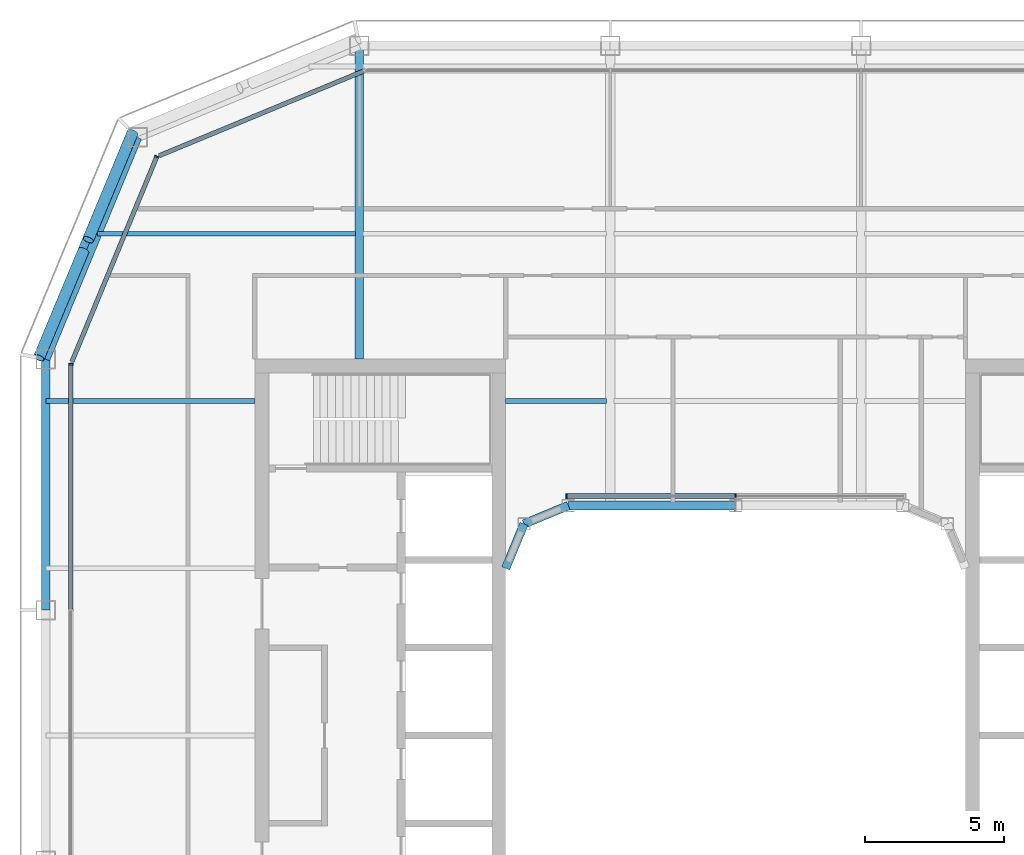
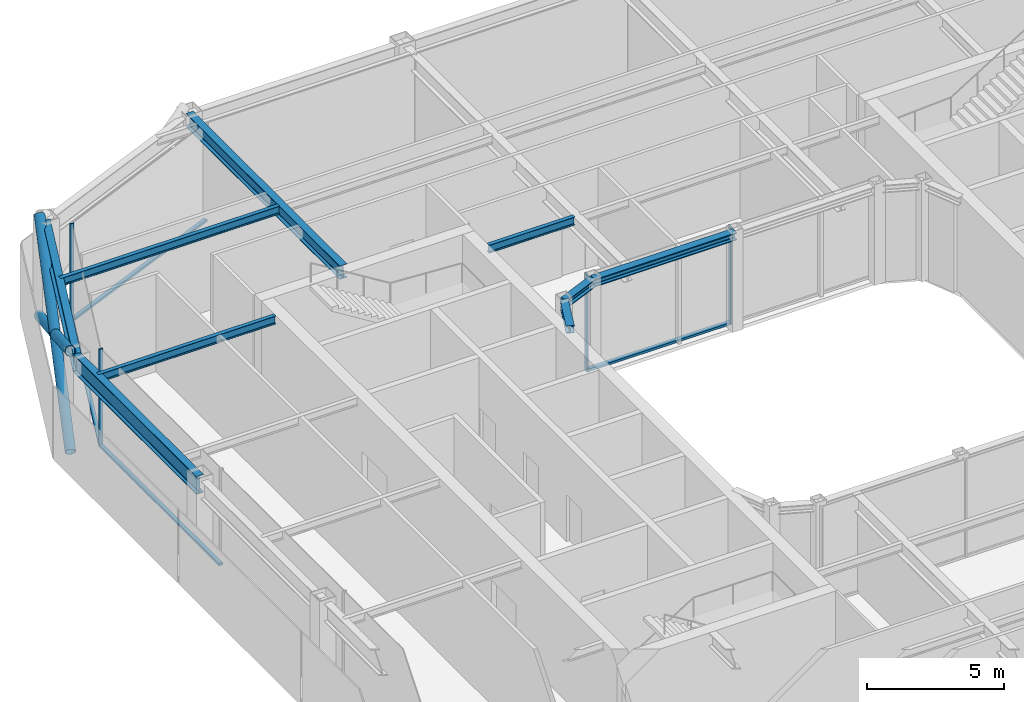
# One storey, part 7 of 18: 11 members, 9 beams, 4 elements without a shape of their own.
"""IFC4 building model written with IfcOpenShell, lengths in metres."""

from ifc_helpers import new_model, si_unit, direction, frame, origin, origin_2d, place, context, subcontext, project, spatial, rectangle, hollow_circle, i_section, extrude, material, layer, layer_set, material_profile, profile_set, type_object, element, aggregate, save


model = new_model("IFC4")

# Units and contexts
model_context = context("Model", 3, precision=1e-05, world=origin(), true_north=direction((0.0, 1.0)))
body_context = subcontext(model_context, "Body", "Model", "MODEL_VIEW")
ifc_project = project(units=[si_unit("LENGTHUNIT", "METRE"), si_unit("AREAUNIT", "SQUARE_METRE"), si_unit("VOLUMEUNIT", "CUBIC_METRE"), si_unit("PLANEANGLEUNIT", "RADIAN"), si_unit("MASSUNIT", "GRAM", prefix="KILO")], contexts=[model_context])

# Site, building, storey
site_placement = place(None, origin())
site = spatial("IfcSite", under=ifc_project, at=site_placement, CompositionType="ELEMENT")
building_placement = place(site_placement, origin())
building = spatial("IfcBuilding", under=site, at=building_placement, Name="Siwar Civic Tower", CompositionType="ELEMENT")
storey_placement = place(building_placement, frame((0.0, 0.0, 321.199951171875)))
storey = spatial("IfcBuildingStorey", under=building, at=storey_placement, Name="L69", CompositionType="ELEMENT", Elevation=321.199951171875)

# Curtain wall, member
ifc_material_1 = material(Name="Aluminium clad insulated panel", Category="aluminium")
ifc_layer_1 = layer(ifc_material_1, 0.159912109375)
ifc_layer_set_1 = layer_set([ifc_layer_1], Name="Aluminium clad insulated panel")
curtain_wall_type_1 = type_object("IfcCurtainWallType", Name="ENV-CW-DX", PredefinedType="NOTDEFINED", material=ifc_layer_set_1)
curtain_wall_1_placement = place(storey_placement, origin())
curtain_wall_1 = element("IfcCurtainWall", 1, at=curtain_wall_1_placement, inside=storey, type_object=curtain_wall_type_1, Name="Curtain wall D NW2", PredefinedType="NOTDEFINED")
ifc_material_2 = material(Name="Aluminium 6063-T6", Category="aluminium")
ifc_material_profile_1 = material_profile(ifc_material_2, rectangle(XDim=0.159912109375, YDim=0.06005859375, at=origin_2d()), Name="AL 160x60")
ifc_profile_set_1 = profile_set([ifc_material_profile_1], Name="Aluminium 6063-T6")
member_type_1 = type_object("IfcMemberType", Name="ENV-MULLION-D", PredefinedType="MULLION", material=ifc_profile_set_1)
member_1_placement = place(storey_placement, frame((-20.76611328125, 20.76611328125, 0.0), z_axis=(0.0, 0.0, 1.0), x_axis=(0.923879532511, -0.382683432365, 0.0)))
member_1 = element("IfcMember", 2, at=member_1_placement, type_object=member_type_1, Name="Mullion D NW2 1", PredefinedType="MULLION", context=body_context, shape_type="SweptSolid", body=[
    extrude(rectangle(XDim=0.159912109375, YDim=0.06005859375, at=origin_2d()), origin(), (0.0, 0.0, 1.0), 4.35009765625),
])

ifc_material_3 = material(Name="Aluminium and glass", Category="aluminium")
ifc_layer_2 = layer(ifc_material_3, 0.159912109375)
ifc_layer_set_2 = layer_set([ifc_layer_2], Name="Aluminium and glass")
curtain_wall_type_2 = type_object("IfcCurtainWallType", Name="ENV-CW-D", PredefinedType="NOTDEFINED", material=ifc_layer_set_2)
curtain_wall_2_placement = place(storey_placement, origin())
curtain_wall_2 = element("IfcCurtainWall", 3, at=curtain_wall_2_placement, inside=storey, type_object=curtain_wall_type_2, Name="Curtain wall D W", PredefinedType="NOTDEFINED")
member_2_placement = place(storey_placement, frame((-23.85009765625, 13.321044921875, 0.0), z_axis=(0.0, 0.0, 1.0), x_axis=(1.0, 0.0, 0.0)))
member_2 = element("IfcMember", 4, at=member_2_placement, type_object=member_type_1, Name="Mullion D W 1", PredefinedType="MULLION", context=body_context, shape_type="SweptSolid", body=[
    extrude(rectangle(XDim=0.159912109375, YDim=0.06005859375, at=origin_2d()), origin(), (0.0, 0.0, 1.0), 4.35009765625),
])

# Curtain wall, members
ifc_material_4 = material(Name="Aluminium and glass", Category="aluminium")
ifc_layer_3 = layer(ifc_material_4, 0.179931640625)
ifc_layer_set_3 = layer_set([ifc_layer_3], Name="Aluminium and glass")
curtain_wall_type_3 = type_object("IfcCurtainWallType", Name="ENV-CW-W", PredefinedType="NOTDEFINED", material=ifc_layer_set_3)
curtain_wall_3_placement = place(storey_placement, origin())
curtain_wall_3 = element("IfcCurtainWall", 5, at=curtain_wall_3_placement, inside=storey, type_object=curtain_wall_type_3, Name="Curtain wall W WN", PredefinedType="NOTDEFINED")
ifc_material_5 = material(Name="Aluminium 6063-T6", Category="aluminium")
ifc_material_profile_2 = material_profile(ifc_material_5, rectangle(XDim=0.179931640625, YDim=0.06005859375, at=origin_2d()), Name="AL 180x60")
ifc_profile_set_2 = profile_set([ifc_material_profile_2], Name="Aluminium 6063-T6")
member_type_2 = type_object("IfcMemberType", Name="ENV-MULLION-W", PredefinedType="MULLION", material=ifc_profile_set_2)
member_3_placement = place(storey_placement, frame((0.0, 8.5849609375, 0.0), z_axis=(0.0, 0.0, 1.0), x_axis=(0.0, -1.0, 0.0)))
member_3 = element("IfcMember", 6, at=member_3_placement, type_object=member_type_2, Name="Mullion W WN 2", PredefinedType="MULLION", context=body_context, shape_type="SweptSolid", body=[
    extrude(rectangle(XDim=0.179931640625, YDim=0.06005859375, at=origin_2d()), origin(), (0.0, 0.0, 1.0), 4.35009765625),
])
member_4_placement = place(storey_placement, frame((-6.066650390625, 8.5849609375, 0.0), z_axis=(0.0, 0.0, 1.0), x_axis=(0.0, -1.0, 0.0)))
member_4 = element("IfcMember", 7, at=member_4_placement, type_object=member_type_2, Name="Mullion W WN 3", PredefinedType="MULLION", context=body_context, shape_type="SweptSolid", body=[
    extrude(rectangle(XDim=0.179931640625, YDim=0.06005859375, at=origin_2d()), origin(), (0.0, 0.0, 1.0), 4.35009765625),
])

# Curtain wall, member
curtain_wall_4_placement = place(storey_placement, origin())
curtain_wall_4 = element("IfcCurtainWall", 8, at=curtain_wall_4_placement, inside=storey, type_object=curtain_wall_type_1, Name="Curtain wall D NW1", PredefinedType="NOTDEFINED")
ifc_material_6 = material(Name="Aluminium 6063-T6", Category="aluminium")
ifc_material_profile_3 = material_profile(ifc_material_6, rectangle(XDim=0.159912109375, YDim=0.10009765625, at=origin_2d()), Name="AL 160x100")
ifc_profile_set_3 = profile_set([ifc_material_profile_3], Name="Aluminium 6063-T6")
member_type_3 = type_object("IfcMemberType", Name="ENV-TRANSOM-D", PredefinedType="USERDEFINED", material=ifc_profile_set_3)
member_5_placement = place(storey_placement, frame((-13.3486328125, 23.838623046875, 0.050048828125), z_axis=(-0.923872756612, -0.382699790424, 0.0), x_axis=(0.382699790424, -0.923872756612, 0.0)))
member_5 = element("IfcMember", 9, at=member_5_placement, type_object=member_type_3, Name="Transom D NW1 1", ObjectType="TRANSOM", PredefinedType="USERDEFINED", context=body_context, shape_type="SweptSolid", body=[
    extrude(rectangle(XDim=0.159912109375, YDim=0.10009765625, at=origin_2d()), origin(), (0.0, 0.0, 1.0), 7.930908203125),
])
aggregate(curtain_wall_4, [member_5])

# Member
member_6_placement = place(storey_placement, frame((-20.777587890625, 20.738525390625, 0.050048828125), z_axis=(-0.382673515031, -0.923883640343, 0.0), x_axis=(0.923883640343, -0.382673515031, 0.0)))
member_6 = element("IfcMember", 10, at=member_6_placement, type_object=member_type_3, Name="Transom D NW2 1", ObjectType="TRANSOM", PredefinedType="USERDEFINED", context=body_context, shape_type="SweptSolid", body=[
    extrude(rectangle(XDim=0.159912109375, YDim=0.10009765625, at=origin_2d()), origin(), (0.0, 0.0, 1.0), 7.930908203125),
])

aggregate(curtain_wall_1, [member_1, member_6])

member_7_placement = place(storey_placement, frame((-23.85009765625, 13.291015625, 0.050048828125), z_axis=(0.0, -1.0, 0.0), x_axis=(1.0, 0.0, 0.0)))
member_7 = element("IfcMember", 11, at=member_7_placement, type_object=member_type_3, Name="Transom D W 1", ObjectType="TRANSOM", PredefinedType="USERDEFINED", context=body_context, shape_type="SweptSolid", body=[
    extrude(rectangle(XDim=0.159912109375, YDim=0.10009765625, at=origin_2d()), origin(), (0.0, 0.0, 1.0), 8.760986328125),
])

aggregate(curtain_wall_2, [member_2, member_7])

ifc_material_7 = material(Name="Aluminium 6063-T6", Category="aluminium")
ifc_material_profile_4 = material_profile(ifc_material_7, rectangle(XDim=0.179931640625, YDim=0.10009765625, at=origin_2d()), Name="AL 180x100")
ifc_profile_set_4 = profile_set([ifc_material_profile_4], Name="Aluminium 6063-T6")
member_type_4 = type_object("IfcMemberType", Name="ENV-TRANSOM-W", PredefinedType="USERDEFINED", material=ifc_profile_set_4)
member_8_placement = place(storey_placement, frame((-0.030029296875, 8.5849609375, 0.050048828125), z_axis=(-1.0, 0.0, 0.0), x_axis=(0.0, -1.0, 0.0)))
member_8 = element("IfcMember", 12, at=member_8_placement, type_object=member_type_4, Name="Transom W WN 2", ObjectType="TRANSOM", PredefinedType="USERDEFINED", context=body_context, shape_type="SweptSolid", body=[
    extrude(rectangle(XDim=0.179931640625, YDim=0.10009765625, at=origin_2d()), origin(), (0.0, 0.0, 1.0), 6.006591796875),
])

aggregate(curtain_wall_3, [member_3, member_4, member_8])

# Members
ifc_material_8 = material(Name="Steel S355", Category="steel")
ifc_material_profile_5 = material_profile(ifc_material_8, hollow_circle(Radius=0.203125, WallThickness=0.01611328125, at=origin_2d()), Name="CHS406.4x16")
ifc_profile_set_5 = profile_set([ifc_material_profile_5], Name="Steel S355")
member_type_5 = type_object("IfcMemberType", Name="STR-BR-CHS406.4x16", PredefinedType="BRACE", material=ifc_profile_set_5)
member_9_placement = place(storey_placement, frame((-24.9951171875, 13.548828125, 0.0), z_axis=(0.341671493852, 0.821142553604, 0.457149315816), x_axis=(-0.923264922524, 0.384163874976, 0.0)))
element("IfcMember", 13, at=member_9_placement, inside=storey, type_object=member_type_5, Name="L69/brc/DNW1-8-0-1", PredefinedType="BRACE", context=body_context, shape_type="SweptSolid", body=[
    extrude(hollow_circle(Radius=0.203125, WallThickness=0.01611328125, at=origin_2d()), origin(), (0.0, 0.0, 1.0), 9.843505859375),
])
member_10_placement = place(storey_placement, frame((-21.6318359375, 21.6318359375, 0.0), z_axis=(-0.341644380467, -0.821147096886, 0.457161418507), x_axis=(0.923276488787, -0.38413607648, 0.0)))
element("IfcMember", 14, at=member_10_placement, inside=storey, type_object=member_type_5, Name="L69/brc/DNW1-8-0-2", PredefinedType="BRACE", context=body_context, shape_type="SweptSolid", body=[
    extrude(hollow_circle(Radius=0.203125, WallThickness=0.01611328125, at=origin_2d()), origin(), (0.0, 0.0, 1.0), 4.677001953125),
])
member_11_placement = place(storey_placement, frame((-23.397216796875, 17.38916015625, 2.362060546875), z_axis=(-0.341667178655, -0.821149689876, 0.457139722456), x_axis=(0.923267827529, -0.384156893273, 0.0)))
element("IfcMember", 15, at=member_11_placement, inside=storey, type_object=member_type_5, Name="L69/brc/DNW1-8-0-3", PredefinedType="BRACE", context=body_context, shape_type="SweptSolid", body=[
    extrude(hollow_circle(Radius=0.203125, WallThickness=0.01611328125, at=origin_2d()), origin(), (0.0, 0.0, 1.0), 4.6767578125),
])

# Beams
ifc_material_9 = material(Name="Steel S355", Category="steel")
ifc_material_profile_6 = material_profile(ifc_material_9, i_section(OverallWidth=0.169921875, OverallDepth=0.360107421875, WebThickness=0.008056640625, FlangeThickness=0.0126953125, FilletRadius=0.01806640625, at=origin_2d()), Name="IPE360")
ifc_profile_set_6 = profile_set([ifc_material_profile_6], Name="Steel S355")
beam_type_1 = type_object("IfcBeamType", Name="STR-FB-IPE360", PredefinedType="JOIST", material=ifc_profile_set_6)
beam_1_placement = place(storey_placement, frame((-24.75, 12.0, 4.170166015625), z_axis=(1.0, 0.0, 0.0), x_axis=(0.0, 1.0, 0.0)))
element("IfcBeam", 16, at=beam_1_placement, inside=storey, type_object=beam_type_1, Name="L69/bm/F022", PredefinedType="JOIST", context=body_context, shape_type="SweptSolid", body=[
    extrude(i_section(OverallWidth=0.169921875, OverallDepth=0.360107421875, WebThickness=0.008056640625, FlangeThickness=0.0126953125, FilletRadius=0.01806640625, at=origin_2d()), origin(), (0.0, 0.0, 1.0), 7.5),
])
beam_2_placement = place(storey_placement, frame((-8.25, 12.0, 4.170166015625), z_axis=(1.0, 0.0, 0.0), x_axis=(0.0, 1.0, 0.0)))
element("IfcBeam", 17, at=beam_2_placement, inside=storey, type_object=beam_type_1, Name="L69/bm/F023", PredefinedType="JOIST", context=body_context, shape_type="SweptSolid", body=[
    extrude(i_section(OverallWidth=0.169921875, OverallDepth=0.360107421875, WebThickness=0.008056640625, FlangeThickness=0.0126953125, FilletRadius=0.01806640625, at=origin_2d()), origin(), (0.0, 0.0, 1.0), 3.6201171875),
])
beam_3_placement = place(storey_placement, frame((-22.885986328125, 18.0, 4.170166015625), z_axis=(1.0, 0.0, 0.0), x_axis=(0.0, 1.0, 0.0)))
element("IfcBeam", 18, at=beam_3_placement, inside=storey, type_object=beam_type_1, Name="L69/bm/F027", PredefinedType="JOIST", context=body_context, shape_type="SweptSolid", body=[
    extrude(i_section(OverallWidth=0.169921875, OverallDepth=0.360107421875, WebThickness=0.008056640625, FlangeThickness=0.0126953125, FilletRadius=0.01806640625, at=origin_2d()), origin(), (0.0, 0.0, 1.0), 9.256103515625),
])
ifc_material_10 = material(Name="Steel S355", Category="steel")
ifc_material_profile_7 = material_profile(ifc_material_10, i_section(OverallWidth=0.300048828125, OverallDepth=0.60009765625, WebThickness=0.015380859375, FlangeThickness=0.030029296875, FilletRadius=0.027099609375, at=origin_2d()), Name="HEB600")
ifc_profile_set_7 = profile_set([ifc_material_profile_7], Name="Steel S355")
beam_type_2 = type_object("IfcBeamType", Name="STR-PG-HEB600", PredefinedType="BEAM", material=ifc_profile_set_7)
beam_4_placement = place(storey_placement, frame((-13.5, 13.5, 4.050048828125), z_axis=(0.0, 1.0, 0.0), x_axis=(-1.0, 0.0, 0.0)))
element("IfcBeam", 19, at=beam_4_placement, inside=storey, type_object=beam_type_2, Name="L69/bm/G02", PredefinedType="BEAM", context=body_context, shape_type="SweptSolid", body=[
    extrude(i_section(OverallWidth=0.300048828125, OverallDepth=0.60009765625, WebThickness=0.015380859375, FlangeThickness=0.030029296875, FilletRadius=0.027099609375, at=origin_2d()), origin(), (0.0, 0.0, 1.0), 11.25),
])
ifc_material_11 = material(Name="Steel S355", Category="steel")
ifc_material_profile_8 = material_profile(ifc_material_11, i_section(OverallWidth=0.31005859375, OverallDepth=0.340087890625, WebThickness=0.02099609375, FlangeThickness=0.0390625, FilletRadius=0.027099609375, at=origin_2d()), Name="HEM300")
ifc_profile_set_8 = profile_set([ifc_material_profile_8], Name="Steel S355")
beam_type_3 = type_object("IfcBeamType", Name="STR-RB-HEM300", PredefinedType="BEAM", material=ifc_profile_set_8)
beam_5_placement = place(storey_placement, frame((-7.591064453125, 7.591064453125, 4.179931640625), z_axis=(0.923901072997, 0.382631424892, 0.0), x_axis=(-0.382631424892, 0.923901072997, 0.0)))
element("IfcBeam", 20, at=beam_5_placement, inside=storey, type_object=beam_type_3, Name="L69/bm/RN0", PredefinedType="BEAM", context=body_context, shape_type="SweptSolid", body=[
    extrude(i_section(OverallWidth=0.31005859375, OverallDepth=0.340087890625, WebThickness=0.02099609375, FlangeThickness=0.0390625, FilletRadius=0.027099609375, at=origin_2d()), origin(), (0.0, 0.0, 1.0), 1.72216796875),
])
beam_6_placement = place(storey_placement, frame((-6.0, 8.25, 4.179931640625), z_axis=(1.0, 0.0, 0.0), x_axis=(0.0, 1.0, 0.0)))
element("IfcBeam", 21, at=beam_6_placement, inside=storey, type_object=beam_type_3, Name="L69/bm/RN1", PredefinedType="BEAM", context=body_context, shape_type="SweptSolid", body=[
    extrude(i_section(OverallWidth=0.31005859375, OverallDepth=0.340087890625, WebThickness=0.02099609375, FlangeThickness=0.0390625, FilletRadius=0.027099609375, at=origin_2d()), origin(), (0.0, 0.0, 1.0), 6.0),
])
beam_7_placement = place(storey_placement, frame((-7.591064453125, 7.591064453125, 4.179931640625), z_axis=(-0.382631424892, -0.923901072997, 0.0), x_axis=(0.923901072997, -0.382631424892, 0.0)))
element("IfcBeam", 22, at=beam_7_placement, inside=storey, type_object=beam_type_3, Name="L69/bm/RNEW", PredefinedType="BEAM", context=body_context, shape_type="SweptSolid", body=[
    extrude(i_section(OverallWidth=0.31005859375, OverallDepth=0.340087890625, WebThickness=0.02099609375, FlangeThickness=0.0390625, FilletRadius=0.027099609375, at=origin_2d()), origin(), (0.0, 0.0, 1.0), 1.72216796875),
])
ifc_material_12 = material(Name="Steel S355", Category="steel")
ifc_material_profile_9 = material_profile(ifc_material_12, i_section(OverallWidth=0.300048828125, OverallDepth=0.800048828125, WebThickness=0.017578125, FlangeThickness=0.032958984375, FilletRadius=0.030029296875, at=origin_2d()), Name="HEB800")
ifc_profile_set_9 = profile_set([ifc_material_profile_9], Name="Steel S355")
beam_type_4 = type_object("IfcBeamType", Name="STR-SB-HEB800", PredefinedType="BEAM", material=ifc_profile_set_9)
beam_8_placement = place(storey_placement, frame((-21.454833984375, 21.454833984375, 3.949951171875), z_axis=(-0.382699877515, -0.923872720536, 0.0), x_axis=(0.923872720536, -0.382699877515, 0.0)))
element("IfcBeam", 23, at=beam_8_placement, inside=storey, type_object=beam_type_4, Name="L69/bm/SNW2-0", PredefinedType="BEAM", context=body_context, shape_type="SweptSolid", body=[
    extrude(i_section(OverallWidth=0.300048828125, OverallDepth=0.800048828125, WebThickness=0.017578125, FlangeThickness=0.032958984375, FilletRadius=0.030029296875, at=origin_2d()), origin(), (0.0, 0.0, 1.0), 8.6103515625),
])
beam_9_placement = place(storey_placement, frame((-24.75, 13.5, 3.949951171875), z_axis=(0.0, -1.0, 0.0), x_axis=(1.0, 0.0, 0.0)))
element("IfcBeam", 24, at=beam_9_placement, inside=storey, type_object=beam_type_4, Name="L69/bm/SW-0", PredefinedType="BEAM", context=body_context, shape_type="SweptSolid", body=[
    extrude(i_section(OverallWidth=0.300048828125, OverallDepth=0.800048828125, WebThickness=0.017578125, FlangeThickness=0.032958984375, FilletRadius=0.030029296875, at=origin_2d()), origin(), (0.0, 0.0, 1.0), 9.0),
])

save(model, "model.ifc")
